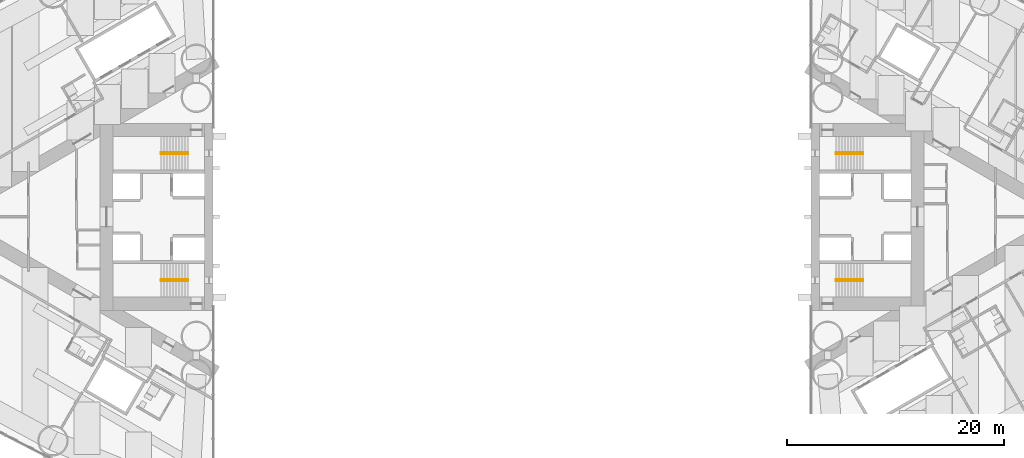
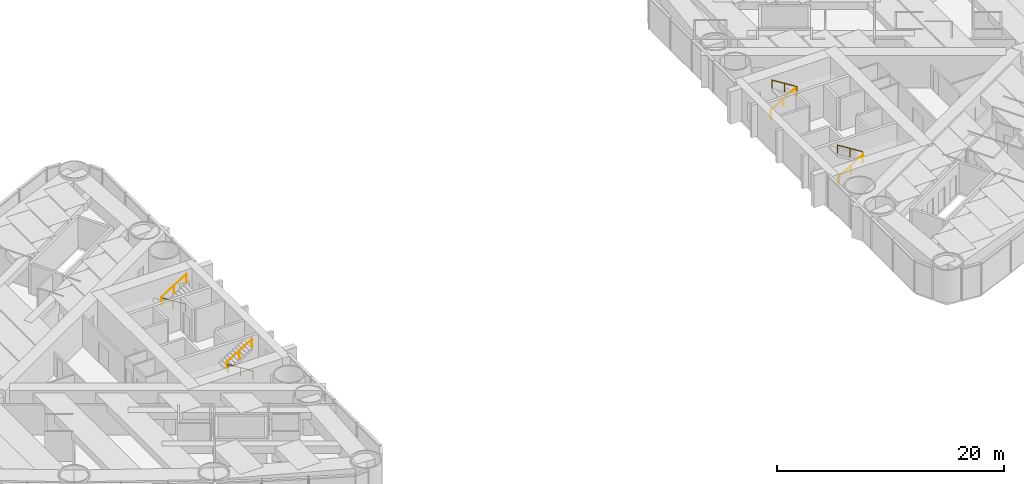
# One storey, part 18 of 19: 8 railings.
"""IFC4 building model written with IfcOpenShell, lengths in metres."""

from ifc_helpers import new_model, si_unit, direction, frame, origin, origin_2d, place, context, subcontext, project, spatial, circle, extrude, material, type_object, element, save


model = new_model("IFC4")

# Units and contexts
model_context = context("Model", 3, precision=1e-05, world=origin(), true_north=direction((0.0, 1.0)))
body_context = subcontext(model_context, "Body", "Model", "MODEL_VIEW")
ifc_project = project(units=[si_unit("LENGTHUNIT", "METRE"), si_unit("AREAUNIT", "SQUARE_METRE"), si_unit("VOLUMEUNIT", "CUBIC_METRE"), si_unit("PLANEANGLEUNIT", "RADIAN"), si_unit("MASSUNIT", "GRAM", prefix="KILO")], contexts=[model_context])

# Site, building, storey
site_placement = place(None, origin())
site = spatial("IfcSite", under=ifc_project, at=site_placement, CompositionType="ELEMENT")
building_placement = place(site_placement, origin())
building = spatial("IfcBuilding", under=site, at=building_placement, Name="Lancet Gate Hotel", CompositionType="ELEMENT")
storey_placement = place(building_placement, frame((0.0, 0.0, 35.5)))
storey = spatial("IfcBuildingStorey", under=building, at=storey_placement, Name="L08", CompositionType="ELEMENT", Elevation=35.5)

# Railings
ifc_material = material(Name="Stainless steel handrail", Category="steel")
railing_type = type_object("IfcRailingType", Name="Stair handrail 900", PredefinedType="HANDRAIL", material=ifc_material)
railing_1_placement = place(storey_placement, frame((-29.800048828125, 5.929931640625, 0.175048828125)))
element("IfcRailing", 1, at=railing_1_placement, inside=storey, type_object=railing_type, Name="ST1 handrail flight 1 L08", PredefinedType="HANDRAIL", context=body_context, shape_type="SweptSolid", body=[
    extrude(circle(Radius=0.02392578125, at=origin_2d()), frame((0.0, 0.0, 0.8759765625), z_axis=(-0.848007534815, 0.0, 0.529984170421), x_axis=(0.0, -1.0, 0.0)), (0.0, 0.0, 1.0), 2.9716796875),
    extrude(circle(Radius=0.02099609375, at=origin_2d()), origin(), (0.0, 0.0, 1.0), 0.851806640625),
    extrude(circle(Radius=0.02099609375, at=origin_2d()), frame((-1.260009765625, 0.0, 0.78759765625)), (0.0, 0.0, 1.0), 0.851806640625),
    extrude(circle(Radius=0.02099609375, at=origin_2d()), frame((-2.52001953125, 0.0, 1.574951171875)), (0.0, 0.0, 1.0), 0.851806640625),
])
railing_2_placement = place(storey_placement, frame((-32.320068359375, 5.77001953125, 1.925048828125)))
element("IfcRailing", 2, at=railing_2_placement, inside=storey, type_object=railing_type, Name="ST1 handrail flight 2 L08", PredefinedType="HANDRAIL", context=body_context, shape_type="SweptSolid", body=[
    extrude(circle(Radius=0.02392578125, at=origin_2d()), frame((0.0, 0.0, 0.8759765625), z_axis=(0.848007534815, 0.0, 0.529984170421), x_axis=(0.0, 1.0, 0.0)), (0.0, 0.0, 1.0), 2.9716796875),
    extrude(circle(Radius=0.02099609375, at=origin_2d()), origin(), (0.0, 0.0, 1.0), 0.851806640625),
    extrude(circle(Radius=0.02099609375, at=origin_2d()), frame((1.260009765625, 0.0, 0.78759765625)), (0.0, 0.0, 1.0), 0.851806640625),
    extrude(circle(Radius=0.02099609375, at=origin_2d()), frame((2.52001953125, 0.0, 1.574951171875)), (0.0, 0.0, 1.0), 0.851806640625),
])
railing_3_placement = place(storey_placement, frame((-29.800048828125, -5.929931640625, 0.175048828125)))
element("IfcRailing", 3, at=railing_3_placement, inside=storey, type_object=railing_type, Name="ST2 handrail flight 1 L08", PredefinedType="HANDRAIL", context=body_context, shape_type="SweptSolid", body=[
    extrude(circle(Radius=0.02392578125, at=origin_2d()), frame((0.0, 0.0, 0.8759765625), z_axis=(-0.848007534815, 0.0, 0.529984170421), x_axis=(0.0, -1.0, 0.0)), (0.0, 0.0, 1.0), 2.9716796875),
    extrude(circle(Radius=0.02099609375, at=origin_2d()), origin(), (0.0, 0.0, 1.0), 0.851806640625),
    extrude(circle(Radius=0.02099609375, at=origin_2d()), frame((-1.260009765625, 0.0, 0.78759765625)), (0.0, 0.0, 1.0), 0.851806640625),
    extrude(circle(Radius=0.02099609375, at=origin_2d()), frame((-2.52001953125, 0.0, 1.574951171875)), (0.0, 0.0, 1.0), 0.851806640625),
])
for number, where, name in (
    (4, (-32.320068359375, -5.77001953125, 1.925048828125), "ST2 handrail flight 2 L08"),
    (5, (29.800048828125, -5.929931640625, 0.175048828125), "ST3 handrail flight 1 L08"),
):
    element("IfcRailing", number, at=place(storey_placement, frame(where)), inside=storey, type_object=railing_type, Name=name, PredefinedType="HANDRAIL", context=body_context, shape_type="SweptSolid", body=[
        extrude(circle(Radius=0.02392578125, at=origin_2d()), frame((0.0, 0.0, 0.8759765625), z_axis=(0.848007534815, 0.0, 0.529984170421), x_axis=(0.0, 1.0, 0.0)), (0.0, 0.0, 1.0), 2.9716796875),
        extrude(circle(Radius=0.02099609375, at=origin_2d()), origin(), (0.0, 0.0, 1.0), 0.851806640625),
        extrude(circle(Radius=0.02099609375, at=origin_2d()), frame((1.260009765625, 0.0, 0.78759765625)), (0.0, 0.0, 1.0), 0.851806640625),
        extrude(circle(Radius=0.02099609375, at=origin_2d()), frame((2.52001953125, 0.0, 1.574951171875)), (0.0, 0.0, 1.0), 0.851806640625),
    ])
railing_4_placement = place(storey_placement, frame((32.320068359375, -5.77001953125, 1.925048828125)))
element("IfcRailing", 6, at=railing_4_placement, inside=storey, type_object=railing_type, Name="ST3 handrail flight 2 L08", PredefinedType="HANDRAIL", context=body_context, shape_type="SweptSolid", body=[
    extrude(circle(Radius=0.02392578125, at=origin_2d()), frame((0.0, 0.0, 0.8759765625), z_axis=(-0.848007534815, 0.0, 0.529984170421), x_axis=(0.0, -1.0, 0.0)), (0.0, 0.0, 1.0), 2.9716796875),
    extrude(circle(Radius=0.02099609375, at=origin_2d()), origin(), (0.0, 0.0, 1.0), 0.851806640625),
    extrude(circle(Radius=0.02099609375, at=origin_2d()), frame((-1.260009765625, 0.0, 0.78759765625)), (0.0, 0.0, 1.0), 0.851806640625),
    extrude(circle(Radius=0.02099609375, at=origin_2d()), frame((-2.52001953125, 0.0, 1.574951171875)), (0.0, 0.0, 1.0), 0.851806640625),
])
railing_5_placement = place(storey_placement, frame((29.800048828125, 5.929931640625, 0.175048828125)))
element("IfcRailing", 7, at=railing_5_placement, inside=storey, type_object=railing_type, Name="ST4 handrail flight 1 L08", PredefinedType="HANDRAIL", context=body_context, shape_type="SweptSolid", body=[
    extrude(circle(Radius=0.02392578125, at=origin_2d()), frame((0.0, 0.0, 0.8759765625), z_axis=(0.848007534815, 0.0, 0.529984170421), x_axis=(0.0, 1.0, 0.0)), (0.0, 0.0, 1.0), 2.9716796875),
    extrude(circle(Radius=0.02099609375, at=origin_2d()), origin(), (0.0, 0.0, 1.0), 0.851806640625),
    extrude(circle(Radius=0.02099609375, at=origin_2d()), frame((1.260009765625, 0.0, 0.78759765625)), (0.0, 0.0, 1.0), 0.851806640625),
    extrude(circle(Radius=0.02099609375, at=origin_2d()), frame((2.52001953125, 0.0, 1.574951171875)), (0.0, 0.0, 1.0), 0.851806640625),
])
railing_6_placement = place(storey_placement, frame((32.320068359375, 5.77001953125, 1.925048828125)))
element("IfcRailing", 8, at=railing_6_placement, inside=storey, type_object=railing_type, Name="ST4 handrail flight 2 L08", PredefinedType="HANDRAIL", context=body_context, shape_type="SweptSolid", body=[
    extrude(circle(Radius=0.02392578125, at=origin_2d()), frame((0.0, 0.0, 0.8759765625), z_axis=(-0.848007534815, 0.0, 0.529984170421), x_axis=(0.0, -1.0, 0.0)), (0.0, 0.0, 1.0), 2.9716796875),
    extrude(circle(Radius=0.02099609375, at=origin_2d()), origin(), (0.0, 0.0, 1.0), 0.851806640625),
    extrude(circle(Radius=0.02099609375, at=origin_2d()), frame((-1.260009765625, 0.0, 0.78759765625)), (0.0, 0.0, 1.0), 0.851806640625),
    extrude(circle(Radius=0.02099609375, at=origin_2d()), frame((-2.52001953125, 0.0, 1.574951171875)), (0.0, 0.0, 1.0), 0.851806640625),
])

save(model, "model.ifc")
